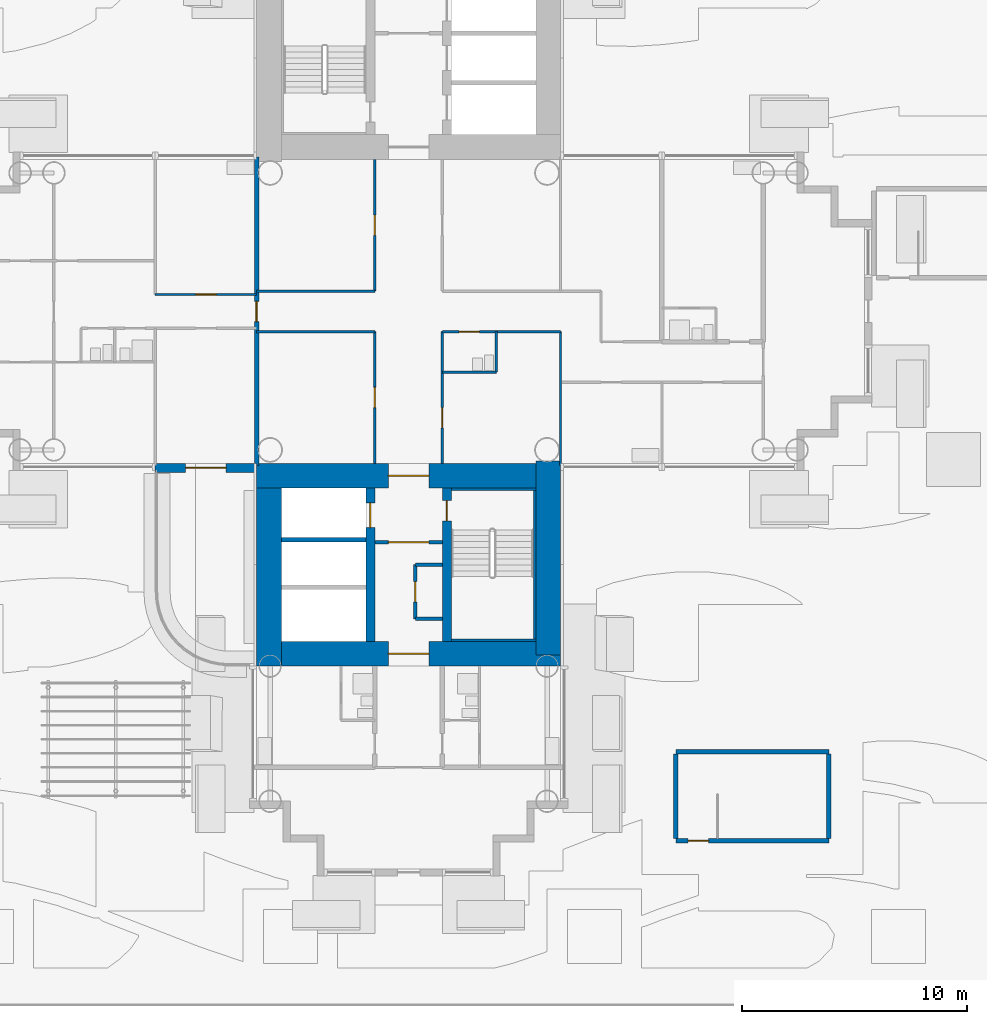
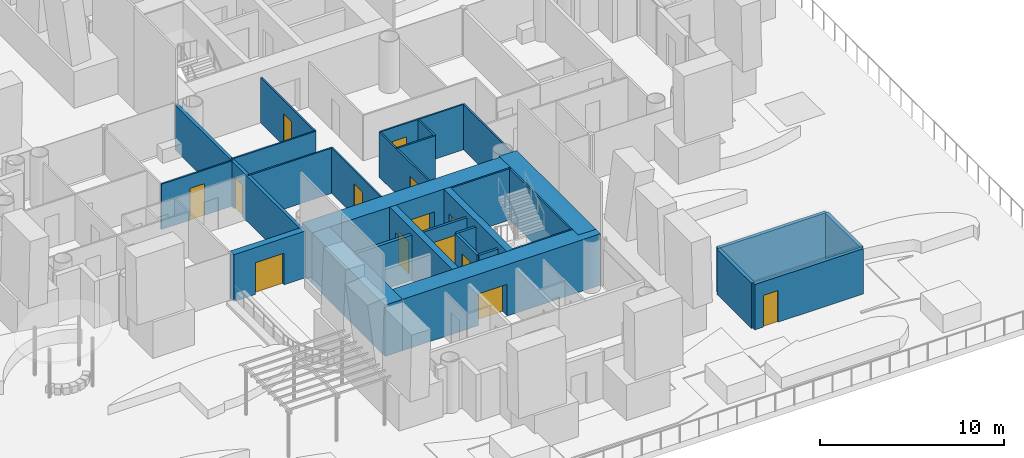
# One storey, part 28 of 40: 30 walls, 14 doors, 14 openings.
"""IFC4 building model written with IfcOpenShell, lengths in metres."""

from ifc_helpers import new_model, si_unit, direction, frame, frame_2d, origin, place, context, subcontext, project, spatial, rectangle, extrude, material, layer, layer_set, type_object, element, fill, save


model = new_model("IFC4")

# Units and contexts
model_context = context("Model", 3, precision=1e-05, world=origin(), true_north=direction((0.0, 1.0)))
body_context = subcontext(model_context, "Body", "Model", "MODEL_VIEW")
ifc_project = project(units=[si_unit("LENGTHUNIT", "METRE"), si_unit("AREAUNIT", "SQUARE_METRE"), si_unit("VOLUMEUNIT", "CUBIC_METRE"), si_unit("PLANEANGLEUNIT", "RADIAN"), si_unit("MASSUNIT", "GRAM", prefix="KILO")], contexts=[model_context])

# Site, building, storey
site_placement = place(None, origin())
site = spatial("IfcSite", under=ifc_project, at=site_placement, CompositionType="ELEMENT")
building_placement = place(site_placement, origin())
building = spatial("IfcBuilding", under=site, at=building_placement, Name="Ipe Terrace Towers", CompositionType="ELEMENT")
storey_placement = place(building_placement, frame((0.0, 0.0, 24.5)))
storey = spatial("IfcBuildingStorey", under=building, at=storey_placement, Name="L05", CompositionType="ELEMENT", Elevation=24.5)

# Wall, opening, door
ifc_material_1 = material(Name="Concrete C40/50 with buff precast cladding", Category="concrete")
ifc_layer_1 = layer(ifc_material_1, 0.39990234375)
ifc_layer_set_1 = layer_set([ifc_layer_1], Name="BALCONY BAY WALL 400")
wall_type_1 = type_object("IfcWallType", Name="BALCONY BAY WALL 400", PredefinedType="STANDARD", material=ifc_layer_set_1)
wall_1_placement = place(storey_placement, frame((24.75, -6.949951171875, 0.0), z_axis=(0.0, 0.0, 1.0), x_axis=(1.0, 0.0, 0.0)))
wall_1 = element("IfcWall", 1, at=wall_1_placement, inside=storey, type_object=wall_type_1, Name="T2-W-L05-44a wall", PredefinedType="STANDARD", context=body_context, shape_type="SweptSolid", body=[
    extrude(rectangle(XDim=4.5, YDim=0.39990234375, at=frame_2d((2.25, 0.0))), origin(), (0.0, 0.0, 1.0), 3.10009765625),
])
opening_1_placement = place(wall_1_placement, frame((1.35009765625, 0.0, 0.0)))
opening_1 = element("IfcOpeningElement", 2, at=opening_1_placement, cuts=wall_1, Name="Opening T2-D-L05-44", PredefinedType="OPENING", context=body_context, shape_type="SweptSolid", body=[
    extrude(rectangle(XDim=1.800048828125, YDim=2.10009765625, at=frame_2d((0.89990234375, 1.050048828125))), frame((0.0, 0.2099609375, 0.0), z_axis=(0.0, -1.0, 0.0), x_axis=(1.0, 0.0, 0.0)), (0.0, 0.0, 1.0), 0.419921875),
])
ifc_material_2 = material(Name="Aluminium alloy 6063-T6 framed glazed door", Category="aluminium")
door_type_1 = type_object("IfcDoorType", Name="BALCONY DOOR 1800 x 2100 RIGHT", OperationType="SINGLE_SWING_RIGHT", PredefinedType="DOOR", material=ifc_material_2)
door_1_placement = place(opening_1_placement, origin())
door_1 = element("IfcDoor", 3, at=door_1_placement, inside=storey, type_object=door_type_1, Name="DB2 door", OperationType="SINGLE_SWING_RIGHT", OverallHeight=2.10009765625, OverallWidth=1.800048828125, PredefinedType="DOOR", context=body_context, shape_type="SweptSolid", body=[
    extrude(rectangle(XDim=1.800048828125, YDim=2.10009765625, at=frame_2d((0.89990234375, 1.050048828125))), frame((0.0, 0.02490234375, 0.0), z_axis=(0.0, -1.0, 0.0), x_axis=(1.0, 0.0, 0.0)), (0.0, 0.0, 1.0), 0.050048828125),
])
fill(opening_1, door_1)

# Wall
ifc_material_3 = material(Name="Gypsum board partition", Category="plasterboard")
ifc_layer_2 = layer(ifc_material_3, 0.10009765625)
ifc_layer_set_2 = layer_set([ifc_layer_2], Name="Gypsum board partition 100 mm")
wall_type_2 = type_object("IfcWallType", Name="Gypsum board partition 100 mm", PredefinedType="PARTITIONING", material=ifc_layer_set_2)
wall_2_placement = place(storey_placement, frame((39.89990234375, -2.699951171875, 0.0), z_axis=(0.0, 0.0, 1.0), x_axis=(-1.0, 0.0, 0.0)))
element("IfcWall", 4, at=wall_2_placement, inside=storey, type_object=wall_type_2, Name="Gypsum board partition T2 L05 W07", PredefinedType="PARTITIONING", context=body_context, shape_type="SweptSolid", body=[
    extrude(rectangle(XDim=2.39990234375, YDim=0.10009765625, at=frame_2d((1.199951171875, 0.0))), origin(), (0.0, 0.0, 1.0), 3.0),
])

# Wall, opening, door
wall_3_placement = place(storey_placement, frame((42.75, -0.89990234375, 0.0), z_axis=(0.0, 0.0, 1.0), x_axis=(-1.0, 0.0, 0.0)))
wall_3 = element("IfcWall", 5, at=wall_3_placement, inside=storey, type_object=wall_type_2, Name="Gypsum board partition T2 L05 W11", PredefinedType="PARTITIONING", context=body_context, shape_type="SweptSolid", body=[
    extrude(rectangle(XDim=5.25, YDim=0.10009765625, at=frame_2d((2.625, 0.0))), origin(), (0.0, 0.0, 1.0), 3.0),
])
opening_2_placement = place(wall_3_placement, frame((3.60009765625, 0.0, 0.0)))
opening_2 = element("IfcOpeningElement", 6, at=opening_2_placement, cuts=wall_3, Name="Opening T2-Z1A-01", PredefinedType="OPENING", context=body_context, shape_type="SweptSolid", body=[
    extrude(rectangle(XDim=0.89990234375, YDim=2.10009765625, at=frame_2d((0.449951171875, 1.050048828125))), frame((0.0, 0.06005859375, 0.0), z_axis=(0.0, -1.0, 0.0), x_axis=(1.0, 0.0, 0.0)), (0.0, 0.0, 1.0), 0.1201171875),
])
ifc_material_4 = material(Name="Timber door leaf", Category="wood")
door_type_2 = type_object("IfcDoorType", Name="Bathroom door 900 x 2100", OperationType="NOTDEFINED", PredefinedType="DOOR", material=ifc_material_4)
door_2_placement = place(opening_2_placement, origin())
door_2 = element("IfcDoor", 7, at=door_2_placement, inside=storey, type_object=door_type_2, Name="Bathroom door T2-Z1A-01", OperationType="SINGLE_SWING_LEFT", OverallHeight=2.10009765625, OverallWidth=0.89990234375, PredefinedType="DOOR", context=body_context, shape_type="SweptSolid", body=[
    extrude(rectangle(XDim=0.89990234375, YDim=2.10009765625, at=frame_2d((0.449951171875, 1.050048828125))), frame((0.0, 0.02490234375, 0.0), z_axis=(0.0, -1.0, 0.0), x_axis=(1.0, 0.0, 0.0)), (0.0, 0.0, 1.0), 0.050048828125),
])
fill(opening_2, door_2)

# Wall
wall_4_placement = place(storey_placement, frame((34.5, -0.89990234375, 0.0), z_axis=(0.0, 0.0, 1.0), x_axis=(-1.0, 0.0, 0.0)))
element("IfcWall", 8, at=wall_4_placement, inside=storey, type_object=wall_type_2, Name="Gypsum board partition T2 L05 W12", PredefinedType="PARTITIONING", context=body_context, shape_type="SweptSolid", body=[
    extrude(rectangle(XDim=5.25, YDim=0.10009765625, at=frame_2d((2.625, 0.0))), origin(), (0.0, 0.0, 1.0), 3.0),
])

# Wall, opening, door
wall_5_placement = place(storey_placement, frame((29.25, 0.75, 0.0), z_axis=(0.0, 0.0, 1.0), x_axis=(-1.0, 0.0, 0.0)))
wall_5 = element("IfcWall", 9, at=wall_5_placement, inside=storey, type_object=wall_type_2, Name="Gypsum board partition T2 L05 W15", PredefinedType="PARTITIONING", context=body_context, shape_type="SweptSolid", body=[
    extrude(rectangle(XDim=4.5, YDim=0.10009765625, at=frame_2d((2.25, 0.0))), origin(), (0.0, 0.0, 1.0), 3.0),
])
opening_3_placement = place(wall_5_placement, frame((1.800048828125, 0.0, 0.0)))
opening_3 = element("IfcOpeningElement", 10, at=opening_3_placement, cuts=wall_5, Name="Opening T2-Z1A-07", PredefinedType="OPENING", context=body_context, shape_type="SweptSolid", body=[
    extrude(rectangle(XDim=0.89990234375, YDim=2.10009765625, at=frame_2d((0.449951171875, 1.050048828125))), frame((0.0, 0.06005859375, 0.0), z_axis=(0.0, -1.0, 0.0), x_axis=(1.0, 0.0, 0.0)), (0.0, 0.0, 1.0), 0.1201171875),
])
ifc_material_5 = material(Name="Timber door leaf", Category="wood")
door_type_3 = type_object("IfcDoorType", Name="Lounge door 900 x 2100", OperationType="NOTDEFINED", PredefinedType="DOOR", material=ifc_material_5)
door_3_placement = place(opening_3_placement, origin())
door_3 = element("IfcDoor", 11, at=door_3_placement, inside=storey, type_object=door_type_3, Name="Lounge door T2-Z1A-07", OperationType="SINGLE_SWING_RIGHT", OverallHeight=2.10009765625, OverallWidth=0.89990234375, PredefinedType="DOOR", context=body_context, shape_type="SweptSolid", body=[
    extrude(rectangle(XDim=0.89990234375, YDim=2.10009765625, at=frame_2d((0.449951171875, 1.050048828125))), frame((0.0, 0.02490234375, 0.0), z_axis=(0.0, -1.0, 0.0), x_axis=(1.0, 0.0, 0.0)), (0.0, 0.0, 1.0), 0.050048828125),
])
fill(opening_3, door_3)

# Walls
wall_6_placement = place(storey_placement, frame((34.5, 0.89990234375, 0.0), z_axis=(0.0, 0.0, 1.0), x_axis=(-1.0, 0.0, 0.0)))
element("IfcWall", 12, at=wall_6_placement, inside=storey, type_object=wall_type_2, Name="Gypsum board partition T2 L05 W17", PredefinedType="PARTITIONING", context=body_context, shape_type="SweptSolid", body=[
    extrude(rectangle(XDim=5.25, YDim=0.10009765625, at=frame_2d((2.625, 0.0))), origin(), (0.0, 0.0, 1.0), 3.0),
])
wall_7_placement = place(storey_placement, frame((42.75, -6.85009765625, 0.0), z_axis=(0.0, 0.0, 1.0), x_axis=(0.0, 1.0, 0.0)))
element("IfcWall", 13, at=wall_7_placement, inside=storey, type_object=wall_type_2, Name="Gypsum board partition T2 L05 W30", PredefinedType="PARTITIONING", context=body_context, shape_type="SweptSolid", body=[
    extrude(rectangle(XDim=5.9501953125, YDim=0.10009765625, at=frame_2d((2.97509765625, 0.0))), origin(), (0.0, 0.0, 1.0), 3.0),
])
wall_8_placement = place(storey_placement, frame((39.89990234375, -2.699951171875, 0.0), z_axis=(0.0, 0.0, 1.0), x_axis=(0.0, 1.0, 0.0)))
element("IfcWall", 14, at=wall_8_placement, inside=storey, type_object=wall_type_2, Name="Gypsum board partition T2 L05 W32", PredefinedType="PARTITIONING", context=body_context, shape_type="SweptSolid", body=[
    extrude(rectangle(XDim=1.800048828125, YDim=0.10009765625, at=frame_2d((0.89990234375, 0.0))), origin(), (0.0, 0.0, 1.0), 3.0),
])

# Wall, opening, door
wall_9_placement = place(storey_placement, frame((37.5, -6.75, 0.0), z_axis=(0.0, 0.0, 1.0), x_axis=(0.0, 1.0, 0.0)))
wall_9 = element("IfcWall", 15, at=wall_9_placement, inside=storey, type_object=wall_type_2, Name="Gypsum board partition T2 L05 W35", PredefinedType="PARTITIONING", context=body_context, shape_type="SweptSolid", body=[
    extrude(rectangle(XDim=5.85009765625, YDim=0.10009765625, at=frame_2d((2.925048828125, 0.0))), origin(), (0.0, 0.0, 1.0), 3.0),
])
opening_4_placement = place(wall_9_placement, frame((1.574951171875, 0.0, 0.0)))
opening_4 = element("IfcOpeningElement", 16, at=opening_4_placement, cuts=wall_9, Name="Opening T2-Z1A-04", PredefinedType="OPENING", context=body_context, shape_type="SweptSolid", body=[
    extrude(rectangle(XDim=0.89990234375, YDim=2.10009765625, at=frame_2d((0.449951171875, 1.050048828125))), frame((0.0, 0.06005859375, 0.0), z_axis=(0.0, -1.0, 0.0), x_axis=(1.0, 0.0, 0.0)), (0.0, 0.0, 1.0), 0.1201171875),
])
door_4_placement = place(opening_4_placement, origin())
door_4 = element("IfcDoor", 17, at=door_4_placement, inside=storey, type_object=door_type_3, Name="Lounge door T2-Z1A-04", OperationType="SINGLE_SWING_LEFT", OverallHeight=2.10009765625, OverallWidth=0.89990234375, PredefinedType="DOOR", context=body_context, shape_type="SweptSolid", body=[
    extrude(rectangle(XDim=0.89990234375, YDim=2.10009765625, at=frame_2d((0.449951171875, 1.050048828125))), frame((0.0, 0.02490234375, 0.0), z_axis=(0.0, -1.0, 0.0), x_axis=(1.0, 0.0, 0.0)), (0.0, 0.0, 1.0), 0.050048828125),
])
fill(opening_4, door_4)

wall_10_placement = place(storey_placement, frame((34.5, -6.75, 0.0), z_axis=(0.0, 0.0, 1.0), x_axis=(0.0, 1.0, 0.0)))
wall_10 = element("IfcWall", 18, at=wall_10_placement, inside=storey, type_object=wall_type_2, Name="Gypsum board partition T2 L05 W39", PredefinedType="PARTITIONING", context=body_context, shape_type="SweptSolid", body=[
    extrude(rectangle(XDim=5.85009765625, YDim=0.10009765625, at=frame_2d((2.925048828125, 0.0))), origin(), (0.0, 0.0, 1.0), 3.0),
])
opening_5_placement = place(wall_10_placement, frame((2.47509765625, 0.0, 0.0)))
opening_5 = element("IfcOpeningElement", 19, at=opening_5_placement, cuts=wall_10, Name="Opening T2-Z1A-03", PredefinedType="OPENING", context=body_context, shape_type="SweptSolid", body=[
    extrude(rectangle(XDim=0.89990234375, YDim=2.10009765625, at=frame_2d((0.449951171875, 1.050048828125))), frame((0.0, 0.06005859375, 0.0), z_axis=(0.0, -1.0, 0.0), x_axis=(1.0, 0.0, 0.0)), (0.0, 0.0, 1.0), 0.1201171875),
])
door_5_placement = place(opening_5_placement, origin())
door_5 = element("IfcDoor", 20, at=door_5_placement, inside=storey, type_object=door_type_3, Name="Lounge door T2-Z1A-03", OperationType="SINGLE_SWING_RIGHT", OverallHeight=2.10009765625, OverallWidth=0.89990234375, PredefinedType="DOOR", context=body_context, shape_type="SweptSolid", body=[
    extrude(rectangle(XDim=0.89990234375, YDim=2.10009765625, at=frame_2d((0.449951171875, 1.050048828125))), frame((0.0, 0.02490234375, 0.0), z_axis=(0.0, -1.0, 0.0), x_axis=(1.0, 0.0, 0.0)), (0.0, 0.0, 1.0), 0.050048828125),
])
fill(opening_5, door_5)

wall_11_placement = place(storey_placement, frame((34.5, 0.89990234375, 0.0), z_axis=(0.0, 0.0, 1.0), x_axis=(0.0, 1.0, 0.0)))
wall_11 = element("IfcWall", 21, at=wall_11_placement, inside=storey, type_object=wall_type_2, Name="Gypsum board partition T2 L05 W40", PredefinedType="PARTITIONING", context=body_context, shape_type="SweptSolid", body=[
    extrude(rectangle(XDim=5.85009765625, YDim=0.10009765625, at=frame_2d((2.925048828125, 0.0))), origin(), (0.0, 0.0, 1.0), 3.0),
])
opening_6_placement = place(wall_11_placement, frame((2.47509765625, 0.0, 0.0)))
opening_6 = element("IfcOpeningElement", 22, at=opening_6_placement, cuts=wall_11, Name="Opening T2-Z1A-02", PredefinedType="OPENING", context=body_context, shape_type="SweptSolid", body=[
    extrude(rectangle(XDim=0.89990234375, YDim=2.10009765625, at=frame_2d((0.449951171875, 1.050048828125))), frame((0.0, 0.06005859375, 0.0), z_axis=(0.0, -1.0, 0.0), x_axis=(1.0, 0.0, 0.0)), (0.0, 0.0, 1.0), 0.1201171875),
])
door_6_placement = place(opening_6_placement, origin())
door_6 = element("IfcDoor", 23, at=door_6_placement, inside=storey, type_object=door_type_3, Name="Lounge door T2-Z1A-02", OperationType="SINGLE_SWING_LEFT", OverallHeight=2.10009765625, OverallWidth=0.89990234375, PredefinedType="DOOR", context=body_context, shape_type="SweptSolid", body=[
    extrude(rectangle(XDim=0.89990234375, YDim=2.10009765625, at=frame_2d((0.449951171875, 1.050048828125))), frame((0.0, 0.02490234375, 0.0), z_axis=(0.0, -1.0, 0.0), x_axis=(1.0, 0.0, 0.0)), (0.0, 0.0, 1.0), 0.050048828125),
])
fill(opening_6, door_6)

ifc_material_6 = material(Name="Gypsum board partition", Category="plasterboard")
ifc_layer_3 = layer(ifc_material_6, 0.14990234375)
ifc_layer_set_3 = layer_set([ifc_layer_3], Name="Gypsum board partition 150 mm")
wall_type_3 = type_object("IfcWallType", Name="Gypsum board partition 150 mm", PredefinedType="PARTITIONING", material=ifc_layer_set_3)
wall_12_placement = place(storey_placement, frame((34.5, -10.25, 0.0), z_axis=(0.0, 0.0, 1.0), x_axis=(1.0, 0.0, 0.0)))
wall_12 = element("IfcWall", 24, at=wall_12_placement, inside=storey, type_object=wall_type_3, Name="Gypsum board partition T2 L05 t2c2-lobby-wall", PredefinedType="PARTITIONING", context=body_context, shape_type="SweptSolid", body=[
    extrude(rectangle(XDim=3.0, YDim=0.14990234375, at=frame_2d((1.5, 0.0))), origin(), (0.0, 0.0, 1.0), 3.0),
])
opening_7_placement = place(wall_12_placement, frame((0.60009765625, 0.0, 0.0)))
opening_7 = element("IfcOpeningElement", 25, at=opening_7_placement, cuts=wall_12, Name="Opening T2C2-VD", PredefinedType="OPENING", context=body_context, shape_type="SweptSolid", body=[
    extrude(rectangle(XDim=1.800048828125, YDim=2.10009765625, at=frame_2d((0.89990234375, 1.050048828125))), frame((0.0, 0.0849609375, 0.0), z_axis=(0.0, -1.0, 0.0), x_axis=(1.0, 0.0, 0.0)), (0.0, 0.0, 1.0), 0.169921875),
])
ifc_material_7 = material(Name="Fire-rated timber door leaf", Category="wood")
door_type_4 = type_object("IfcDoorType", Name="Lobby door 1800 x 2100 FD60", OperationType="NOTDEFINED", PredefinedType="DOOR", material=ifc_material_7)
door_7_placement = place(opening_7_placement, origin())
door_7 = element("IfcDoor", 26, at=door_7_placement, inside=storey, type_object=door_type_4, Name="Lobby door T2C2-VD", OperationType="SINGLE_SWING_LEFT", OverallHeight=2.10009765625, OverallWidth=1.800048828125, PredefinedType="DOOR", context=body_context, shape_type="SweptSolid", body=[
    extrude(rectangle(XDim=1.800048828125, YDim=2.10009765625, at=frame_2d((0.89990234375, 1.050048828125))), frame((0.0, 0.02490234375, 0.0), z_axis=(0.0, -1.0, 0.0), x_axis=(1.0, 0.0, 0.0)), (0.0, 0.0, 1.0), 0.050048828125),
])
fill(opening_7, door_7)

wall_13_placement = place(storey_placement, frame((36.300048828125, -11.25, 0.0), z_axis=(0.0, 0.0, 1.0), x_axis=(0.0, -1.0, 0.0)))
wall_13 = element("IfcWall", 27, at=wall_13_placement, inside=storey, type_object=wall_type_3, Name="Gypsum board partition T2 L05 t2c2-cup-n-f", PredefinedType="PARTITIONING", context=body_context, shape_type="SweptSolid", body=[
    extrude(rectangle(XDim=2.39990234375, YDim=0.14990234375, at=frame_2d((1.199951171875, 0.0))), origin(), (0.0, 0.0, 1.0), 3.0),
])
opening_8_placement = place(wall_13_placement, frame((0.75, 0.0, 0.0)))
opening_8 = element("IfcOpeningElement", 28, at=opening_8_placement, cuts=wall_13, Name="Opening T2C2-SR", PredefinedType="OPENING", context=body_context, shape_type="SweptSolid", body=[
    extrude(rectangle(XDim=0.89990234375, YDim=2.10009765625, at=frame_2d((0.449951171875, 1.050048828125))), frame((0.0, 0.0849609375, 0.0), z_axis=(0.0, -1.0, 0.0), x_axis=(1.0, 0.0, 0.0)), (0.0, 0.0, 1.0), 0.169921875),
])
ifc_material_8 = material(Name="Fire-rated timber door leaf", Category="wood")
door_type_5 = type_object("IfcDoorType", Name="Service door 900 x 2100 FD60", OperationType="NOTDEFINED", PredefinedType="DOOR", material=ifc_material_8)
door_8_placement = place(opening_8_placement, origin())
door_8 = element("IfcDoor", 29, at=door_8_placement, inside=storey, type_object=door_type_5, Name="Service door T2C2-SR", OperationType="SINGLE_SWING_LEFT", OverallHeight=2.10009765625, OverallWidth=0.89990234375, PredefinedType="DOOR", context=body_context, shape_type="SweptSolid", body=[
    extrude(rectangle(XDim=0.89990234375, YDim=2.10009765625, at=frame_2d((0.449951171875, 1.050048828125))), frame((0.0, 0.02490234375, 0.0), z_axis=(0.0, -1.0, 0.0), x_axis=(1.0, 0.0, 0.0)), (0.0, 0.0, 1.0), 0.050048828125),
])
fill(opening_8, door_8)

# Walls
for number, where, z_axis, x_axis, name in (
    (30, (36.300048828125, -11.25, 0.0), (0.0, 0.0, 1.0), (1.0, 0.0, 0.0), "Gypsum board partition T2 L05 t2c2-cup-n-a"),
    (31, (36.300048828125, -13.64990234375, 0.0), (0.0, 0.0, 1.0), (1.0, 0.0, 0.0), "Gypsum board partition T2 L05 t2c2-cup-n-b"),
):
    element("IfcWall", number, at=place(storey_placement, frame(where, z_axis=z_axis, x_axis=x_axis)), inside=storey, type_object=wall_type_3, Name=name, PredefinedType="PARTITIONING", context=body_context, shape_type="SweptSolid", body=[
        extrude(rectangle(XDim=1.199951171875, YDim=0.14990234375, at=frame_2d((0.60009765625, 0.0))), origin(), (0.0, 0.0, 1.0), 3.0),
    ])
ifc_material_9 = material(Name="Gypsum board party wall", Category="plasterboard")
ifc_layer_4 = layer(ifc_material_9, 0.199951171875)
ifc_layer_set_4 = layer_set([ifc_layer_4], Name="Gypsum board party wall 200 mm")
wall_type_4 = type_object("IfcWallType", Name="Gypsum board party wall 200 mm", PredefinedType="SOLIDWALL", material=ifc_layer_set_4)
wall_14_placement = place(storey_placement, frame((30.35009765625, -10.14990234375, 0.0), z_axis=(0.0, 0.0, 1.0), x_axis=(1.0, 0.0, 0.0)))
element("IfcWall", 32, at=wall_14_placement, inside=storey, type_object=wall_type_4, Name="Gypsum board party wall T2 L05 t2c2-shaft-div1", PredefinedType="SOLIDWALL", context=body_context, shape_type="SweptSolid", body=[
    extrude(rectangle(XDim=3.75, YDim=0.199951171875, at=frame_2d((1.875, 0.0))), origin(), (0.0, 0.0, 1.0), 3.0),
])

# Wall, opening, door
wall_15_placement = place(storey_placement, frame((29.25, -6.85009765625, 0.0), z_axis=(0.0, 0.0, 1.0), x_axis=(0.0, 1.0, 0.0)))
wall_15 = element("IfcWall", 33, at=wall_15_placement, inside=storey, type_object=wall_type_4, Name="Gypsum board party wall T2 L05 W45", PredefinedType="SOLIDWALL", context=body_context, shape_type="SweptSolid", body=[
    extrude(rectangle(XDim=13.7001953125, YDim=0.199951171875, at=frame_2d((6.85009765625, 0.0))), origin(), (0.0, 0.0, 1.0), 3.0),
])
opening_9_placement = place(wall_15_placement, frame((6.39990234375, 0.0, 0.0)))
opening_9 = element("IfcOpeningElement", 34, at=opening_9_placement, cuts=wall_15, Name="Opening T2-Z1A-08", PredefinedType="OPENING", context=body_context, shape_type="SweptSolid", body=[
    extrude(rectangle(XDim=0.89990234375, YDim=2.10009765625, at=frame_2d((0.449951171875, 1.050048828125))), frame((0.0, 0.10986328125, 0.0), z_axis=(0.0, -1.0, 0.0), x_axis=(1.0, 0.0, 0.0)), (0.0, 0.0, 1.0), 0.219970703125),
])
ifc_material_10 = material(Name="Fire-rated timber door leaf", Category="wood")
door_type_6 = type_object("IfcDoorType", Name="Flat entrance door 900 x 2100 FD30S", OperationType="NOTDEFINED", PredefinedType="DOOR", material=ifc_material_10)
door_9_placement = place(opening_9_placement, origin())
door_9 = element("IfcDoor", 35, at=door_9_placement, inside=storey, type_object=door_type_6, Name="Flat entrance door T2-Z1A-08", OperationType="SINGLE_SWING_LEFT", OverallHeight=2.10009765625, OverallWidth=0.89990234375, PredefinedType="DOOR", context=body_context, shape_type="SweptSolid", body=[
    extrude(rectangle(XDim=0.89990234375, YDim=2.10009765625, at=frame_2d((0.449951171875, 1.050048828125))), frame((0.0, 0.02490234375, 0.0), z_axis=(0.0, -1.0, 0.0), x_axis=(1.0, 0.0, 0.0)), (0.0, 0.0, 1.0), 0.050048828125),
])
fill(opening_9, door_9)

# Walls
ifc_material_11 = material(Name="Concrete C60/75", Category="concrete")
ifc_layer_5 = layer(ifc_material_11, 0.10009765625)
ifc_layer_set_5 = layer_set([ifc_layer_5], Name="RW100 CORE INFILL WALL 100 C60-75")
wall_type_5 = type_object("IfcWallType", Name="RW100 CORE INFILL WALL 100 C60-75", PredefinedType="SHEAR", material=ifc_layer_set_5)
wall_16_placement = place(storey_placement, frame((37.89990234375, -14.60009765625, 0.0), z_axis=(0.0, 0.0, 1.0), x_axis=(1.0, 0.0, 0.0)))
element("IfcWall", 36, at=wall_16_placement, inside=storey, type_object=wall_type_5, Name="Core infill wall T2-C2-far", PredefinedType="SHEAR", context=body_context, shape_type="SweptSolid", body=[
    extrude(rectangle(XDim=3.75, YDim=0.10009765625, at=frame_2d((1.875, 0.0))), origin(), (0.0, 0.0, 1.0), 3.39990234375),
])
wall_17_placement = place(storey_placement, frame((41.60009765625, -7.949951171875, 0.0), z_axis=(0.0, 0.0, 1.0), x_axis=(0.0, -1.0, 0.0)))
element("IfcWall", 37, at=wall_17_placement, inside=storey, type_object=wall_type_5, Name="Core infill wall T2-C2-back", PredefinedType="SHEAR", context=body_context, shape_type="SweptSolid", body=[
    extrude(rectangle(XDim=6.60009765625, YDim=0.10009765625, at=frame_2d((3.300048828125, 0.0))), origin(), (0.0, 0.0, 1.0), 3.39990234375),
])
wall_18_placement = place(storey_placement, frame((37.89990234375, -7.89990234375, 0.0), z_axis=(0.0, 0.0, 1.0), x_axis=(1.0, 0.0, 0.0)))
element("IfcWall", 38, at=wall_18_placement, inside=storey, type_object=wall_type_5, Name="Core infill wall T2-C2-near", PredefinedType="SHEAR", context=body_context, shape_type="SweptSolid", body=[
    extrude(rectangle(XDim=3.75, YDim=0.10009765625, at=frame_2d((1.875, 0.0))), origin(), (0.0, 0.0, 1.0), 3.39990234375),
])

# Wall, opening, door
ifc_material_12 = material(Name="Concrete C60/75", Category="concrete")
ifc_layer_6 = layer(ifc_material_12, 1.10009765625)
ifc_layer_set_6 = layer_set([ifc_layer_6], Name="RW1100 CORE WALL 1100 C60-75")
wall_type_6 = type_object("IfcWallType", Name="RW1100 CORE WALL 1100 C60-75", PredefinedType="SHEAR", material=ifc_layer_set_6)
wall_19_placement = place(storey_placement, frame((30.35009765625, -15.199951171875, 0.0), z_axis=(0.0, 0.0, 1.0), x_axis=(1.0, 0.0, 0.0)))
wall_19 = element("IfcWall", 39, at=wall_19_placement, inside=storey, type_object=wall_type_6, Name="Core wall T2-C2-Z1-W01", PredefinedType="SHEAR", context=body_context, shape_type="SweptSolid", body=[
    extrude(rectangle(XDim=12.39990234375, YDim=1.10009765625, at=frame_2d((6.199951171875, 0.0))), origin(), (0.0, 0.0, 1.0), 3.39990234375),
])
opening_10_placement = place(wall_19_placement, frame((4.75, 0.0, 0.0)))
opening_10 = element("IfcOpeningElement", 40, at=opening_10_placement, cuts=wall_19, Name="Opening T2C2-FD", PredefinedType="OPENING", context=body_context, shape_type="SweptSolid", body=[
    extrude(rectangle(XDim=1.800048828125, YDim=2.10009765625, at=frame_2d((0.89990234375, 1.050048828125))), frame((0.0, 0.56005859375, 0.0), z_axis=(0.0, -1.0, 0.0), x_axis=(1.0, 0.0, 0.0)), (0.0, 0.0, 1.0), 1.1201171875),
])
ifc_material_13 = material(Name="Fire-rated timber door leaf", Category="wood")
door_type_7 = type_object("IfcDoorType", Name="Fire door 1800 x 2100 FD30S", OperationType="NOTDEFINED", PredefinedType="DOOR", material=ifc_material_13)
door_10_placement = place(opening_10_placement, origin())
door_10 = element("IfcDoor", 41, at=door_10_placement, inside=storey, type_object=door_type_7, Name="Fire door T2C2-FD", OperationType="SINGLE_SWING_LEFT", OverallHeight=2.10009765625, OverallWidth=1.800048828125, PredefinedType="DOOR", context=body_context, shape_type="SweptSolid", body=[
    extrude(rectangle(XDim=1.800048828125, YDim=2.10009765625, at=frame_2d((0.89990234375, 1.050048828125))), frame((0.0, 0.02490234375, 0.0), z_axis=(0.0, -1.0, 0.0), x_axis=(1.0, 0.0, 0.0)), (0.0, 0.0, 1.0), 0.050048828125),
])
fill(opening_10, door_10)

# Wall
wall_20_placement = place(storey_placement, frame((42.199951171875, -15.248046875, 0.0), z_axis=(0.0, 0.0, 1.0), x_axis=(0.0, 1.0, 0.0)))
element("IfcWall", 42, at=wall_20_placement, inside=storey, type_object=wall_type_6, Name="Core wall T2-C2-Z1-W02", PredefinedType="SHEAR", context=body_context, shape_type="SweptSolid", body=[
    extrude(rectangle(XDim=8.595947265625, YDim=1.10009765625, at=frame_2d((4.2978515625, 0.0))), origin(), (0.0, 0.0, 1.0), 3.39990234375),
])

# Wall, opening, door
wall_21_placement = place(storey_placement, frame((41.64990234375, -7.300048828125, 0.0), z_axis=(0.0, 0.0, 1.0), x_axis=(-1.0, 0.0, 0.0)))
wall_21 = element("IfcWall", 43, at=wall_21_placement, inside=storey, type_object=wall_type_6, Name="Core wall T2-C2-Z1-W03", PredefinedType="SHEAR", context=body_context, shape_type="SweptSolid", body=[
    extrude(rectangle(XDim=12.39990234375, YDim=1.10009765625, at=frame_2d((6.199951171875, 0.0))), origin(), (0.0, 0.0, 1.0), 3.39990234375),
])
opening_11_placement = place(wall_21_placement, frame((4.75, 0.0, 0.0)))
opening_11 = element("IfcOpeningElement", 44, at=opening_11_placement, cuts=wall_21, Name="Opening T2C2-ND", PredefinedType="OPENING", context=body_context, shape_type="SweptSolid", body=[
    extrude(rectangle(XDim=1.800048828125, YDim=2.10009765625, at=frame_2d((0.89990234375, 1.050048828125))), frame((0.0, 0.56005859375, 0.0), z_axis=(0.0, -1.0, 0.0), x_axis=(1.0, 0.0, 0.0)), (0.0, 0.0, 1.0), 1.1201171875),
])
door_11_placement = place(opening_11_placement, origin())
door_11 = element("IfcDoor", 45, at=door_11_placement, inside=storey, type_object=door_type_7, Name="Fire door T2C2-ND", OperationType="SINGLE_SWING_LEFT", OverallHeight=2.10009765625, OverallWidth=1.800048828125, PredefinedType="DOOR", context=body_context, shape_type="SweptSolid", body=[
    extrude(rectangle(XDim=1.800048828125, YDim=2.10009765625, at=frame_2d((0.89990234375, 1.050048828125))), frame((0.0, 0.02490234375, 0.0), z_axis=(0.0, -1.0, 0.0), x_axis=(1.0, 0.0, 0.0)), (0.0, 0.0, 1.0), 0.050048828125),
])
fill(opening_11, door_11)

# Wall
wall_22_placement = place(storey_placement, frame((29.800048828125, -7.85009765625, 0.0), z_axis=(0.0, 0.0, 1.0), x_axis=(0.0, -1.0, 0.0)))
element("IfcWall", 46, at=wall_22_placement, inside=storey, type_object=wall_type_6, Name="Core wall T2-C2-Z1-W04", PredefinedType="SHEAR", context=body_context, shape_type="SweptSolid", body=[
    extrude(rectangle(XDim=7.89990234375, YDim=1.10009765625, at=frame_2d((3.949951171875, 0.0))), origin(), (0.0, 0.0, 1.0), 3.39990234375),
])

# Wall, opening, door
ifc_material_14 = material(Name="Concrete C40/50", Category="concrete")
ifc_layer_7 = layer(ifc_material_14, 0.199951171875)
ifc_layer_set_7 = layer_set([ifc_layer_7], Name="RW200 PODIUM STAIR SHAFT WALL 200 C40-50")
wall_type_7 = type_object("IfcWallType", Name="RW200 PODIUM STAIR SHAFT WALL 200 C40-50", PredefinedType="SHEAR", material=ifc_layer_set_7)
wall_23_placement = place(storey_placement, frame((47.8701171875, -23.5, 0.0), z_axis=(0.0, 0.0, 1.0), x_axis=(1.0, 0.0, 0.0)))
wall_23 = element("IfcWall", 47, at=wall_23_placement, inside=storey, type_object=wall_type_7, Name="Stair shaft wall T2 L05 ps6-c", PredefinedType="SHEAR", context=body_context, shape_type="SweptSolid", body=[
    extrude(rectangle(XDim=6.7998046875, YDim=0.199951171875, at=frame_2d((3.39990234375, 0.0))), origin(), (0.0, 0.0, 1.0), 3.0),
])
opening_12_placement = place(wall_23_placement, frame((0.550048828125, 0.0, 0.0)))
opening_12 = element("IfcOpeningElement", 48, at=opening_12_placement, cuts=wall_23, Name="Opening PS6-SD", PredefinedType="OPENING", context=body_context, shape_type="SweptSolid", body=[
    extrude(rectangle(XDim=0.89990234375, YDim=2.10009765625, at=frame_2d((0.449951171875, 1.050048828125))), frame((0.0, 0.10986328125, 0.0), z_axis=(0.0, -1.0, 0.0), x_axis=(1.0, 0.0, 0.0)), (0.0, 0.0, 1.0), 0.219970703125),
])
ifc_material_15 = material(Name="Fire-rated timber door leaf", Category="wood")
door_type_8 = type_object("IfcDoorType", Name="Stair door 900 x 2100 FD60", OperationType="NOTDEFINED", PredefinedType="DOOR", material=ifc_material_15)
door_12_placement = place(opening_12_placement, origin())
door_12 = element("IfcDoor", 49, at=door_12_placement, inside=storey, type_object=door_type_8, Name="Stair door PS6-SD", OperationType="SINGLE_SWING_RIGHT", OverallHeight=2.10009765625, OverallWidth=0.89990234375, PredefinedType="DOOR", context=body_context, shape_type="SweptSolid", body=[
    extrude(rectangle(XDim=0.89990234375, YDim=2.10009765625, at=frame_2d((0.449951171875, 1.050048828125))), frame((0.0, 0.02490234375, 0.0), z_axis=(0.0, -1.0, 0.0), x_axis=(1.0, 0.0, 0.0)), (0.0, 0.0, 1.0), 0.050048828125),
])
fill(opening_12, door_12)

# Walls
wall_24_placement = place(storey_placement, frame((47.8701171875, -19.550048828125, 0.0), z_axis=(0.0, 0.0, 1.0), x_axis=(1.0, 0.0, 0.0)))
element("IfcWall", 50, at=wall_24_placement, inside=storey, type_object=wall_type_7, Name="Stair shaft wall T2 L05 ps6-f", PredefinedType="SHEAR", context=body_context, shape_type="SweptSolid", body=[
    extrude(rectangle(XDim=6.7998046875, YDim=0.199951171875, at=frame_2d((3.39990234375, 0.0))), origin(), (0.0, 0.0, 1.0), 3.0),
])
for number, where, z_axis, x_axis, name in (
    (51, (47.8701171875, -23.39990234375, 0.0), (0.0, 0.0, 1.0), (0.0, 1.0, 0.0), "Stair shaft wall T2 L05 ps6-w"),
    (52, (54.669921875, -23.39990234375, 0.0), (0.0, 0.0, 1.0), (0.0, 1.0, 0.0), "Stair shaft wall T2 L05 ps6-e"),
):
    element("IfcWall", number, at=place(storey_placement, frame(where, z_axis=z_axis, x_axis=x_axis)), inside=storey, type_object=wall_type_7, Name=name, PredefinedType="SHEAR", context=body_context, shape_type="SweptSolid", body=[
        extrude(rectangle(XDim=3.75, YDim=0.199951171875, at=frame_2d((1.875, 0.0))), origin(), (0.0, 0.0, 1.0), 3.0),
    ])

# Wall, opening, door
ifc_material_16 = material(Name="Concrete C60/75", Category="concrete")
ifc_layer_8 = layer(ifc_material_16, 0.39990234375)
ifc_layer_set_8 = layer_set([ifc_layer_8], Name="RW400 CORE SPINE WALL 400 C60-75")
wall_type_8 = type_object("IfcWallType", Name="RW400 CORE SPINE WALL 400 C60-75", PredefinedType="SHEAR", material=ifc_layer_set_8)
wall_25_placement = place(storey_placement, frame((34.300048828125, -14.64990234375, 0.0), z_axis=(0.0, 0.0, 1.0), x_axis=(0.0, 1.0, 0.0)))
wall_25 = element("IfcWall", 53, at=wall_25_placement, inside=storey, type_object=wall_type_8, Name="Core spine wall T2-C2-Z1-SW1", PredefinedType="SHEAR", context=body_context, shape_type="SweptSolid", body=[
    extrude(rectangle(XDim=6.7998046875, YDim=0.39990234375, at=frame_2d((3.39990234375, 0.0))), origin(), (0.0, 0.0, 1.0), 3.39990234375),
])
opening_13_placement = place(wall_25_placement, frame((5.050048828125, 0.0, 0.0)))
opening_13 = element("IfcOpeningElement", 54, at=opening_13_placement, cuts=wall_25, Name="Opening T2C2-LD1", PredefinedType="OPENING", context=body_context, shape_type="SweptSolid", body=[
    extrude(rectangle(XDim=1.10009765625, YDim=2.10009765625, at=frame_2d((0.550048828125, 1.050048828125))), frame((0.0, 0.2099609375, 0.0), z_axis=(0.0, -1.0, 0.0), x_axis=(1.0, 0.0, 0.0)), (0.0, 0.0, 1.0), 0.419921875),
])
ifc_material_17 = material(Name="Fire-rated timber door leaf", Category="wood")
door_type_9 = type_object("IfcDoorType", Name="Sliding door 1100 x 2100 FD60", OperationType="SLIDING_TO_LEFT", PredefinedType="DOOR", material=ifc_material_17)
door_13_placement = place(opening_13_placement, origin())
door_13 = element("IfcDoor", 55, at=door_13_placement, inside=storey, type_object=door_type_9, Name="Sliding door T2C2-LD1", OperationType="SLIDING_TO_LEFT", OverallHeight=2.10009765625, OverallWidth=1.10009765625, PredefinedType="DOOR", context=body_context, shape_type="SweptSolid", body=[
    extrude(rectangle(XDim=1.10009765625, YDim=2.10009765625, at=frame_2d((0.550048828125, 1.050048828125))), frame((0.0, 0.02490234375, 0.0), z_axis=(0.0, -1.0, 0.0), x_axis=(1.0, 0.0, 0.0)), (0.0, 0.0, 1.0), 0.050048828125),
])
fill(opening_13, door_13)

wall_26_placement = place(storey_placement, frame((37.699951171875, -14.64990234375, 0.0), z_axis=(0.0, 0.0, 1.0), x_axis=(0.0, 1.0, 0.0)))
wall_26 = element("IfcWall", 56, at=wall_26_placement, inside=storey, type_object=wall_type_8, Name="Core spine wall T2-C2-Z1-SW2", PredefinedType="SHEAR", context=body_context, shape_type="SweptSolid", body=[
    extrude(rectangle(XDim=6.7998046875, YDim=0.39990234375, at=frame_2d((3.39990234375, 0.0))), origin(), (0.0, 0.0, 1.0), 3.39990234375),
])
opening_14_placement = place(wall_26_placement, frame((5.35009765625, 0.0, 0.0)))
opening_14 = element("IfcOpeningElement", 57, at=opening_14_placement, cuts=wall_26, Name="Opening T2C2-SD", PredefinedType="OPENING", context=body_context, shape_type="SweptSolid", body=[
    extrude(rectangle(XDim=0.89990234375, YDim=2.10009765625, at=frame_2d((0.449951171875, 1.050048828125))), frame((0.0, 0.2099609375, 0.0), z_axis=(0.0, -1.0, 0.0), x_axis=(1.0, 0.0, 0.0)), (0.0, 0.0, 1.0), 0.419921875),
])
door_14_placement = place(opening_14_placement, origin())
door_14 = element("IfcDoor", 58, at=door_14_placement, inside=storey, type_object=door_type_8, Name="Stair door T2C2-SD", OperationType="SINGLE_SWING_RIGHT", OverallHeight=2.10009765625, OverallWidth=0.89990234375, PredefinedType="DOOR", context=body_context, shape_type="SweptSolid", body=[
    extrude(rectangle(XDim=0.89990234375, YDim=2.10009765625, at=frame_2d((0.449951171875, 1.050048828125))), frame((0.0, 0.02490234375, 0.0), z_axis=(0.0, -1.0, 0.0), x_axis=(1.0, 0.0, 0.0)), (0.0, 0.0, 1.0), 0.050048828125),
])
fill(opening_14, door_14)

save(model, "model.ifc")
